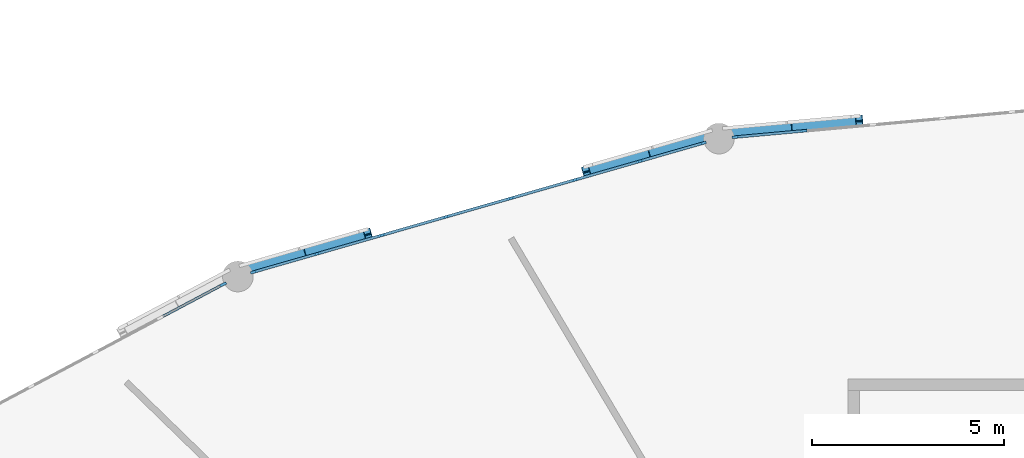
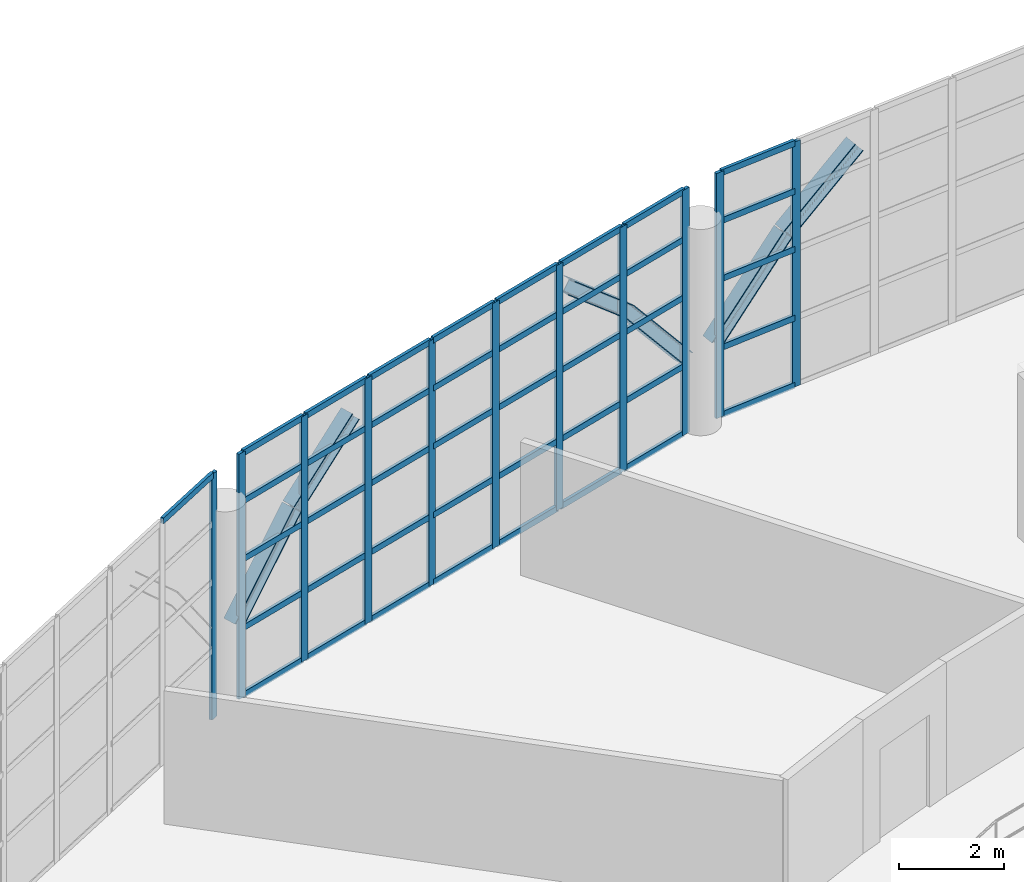
# One storey, part 38 of 109: 52 members, 6 beams, 3 elements without a shape of their own.
"""IFC4 building model written with IfcOpenShell, lengths in metres."""

from ifc_helpers import new_model, si_unit, direction, frame, origin, origin_2d, place, context, subcontext, project, spatial, rectangle, i_section, extrude, material, layer, layer_set, material_profile, profile_set, type_object, element, aggregate, save


model = new_model("IFC4")

# Units and contexts
model_context = context("Model", 3, precision=1e-05, world=origin(), true_north=direction((0.0, 1.0)))
body_context = subcontext(model_context, "Body", "Model", "MODEL_VIEW")
ifc_project = project(units=[si_unit("LENGTHUNIT", "METRE"), si_unit("AREAUNIT", "SQUARE_METRE"), si_unit("VOLUMEUNIT", "CUBIC_METRE"), si_unit("PLANEANGLEUNIT", "RADIAN"), si_unit("MASSUNIT", "GRAM", prefix="KILO")], contexts=[model_context])

# Site, building, storey
site_placement = place(None, origin())
site = spatial("IfcSite", under=ifc_project, at=site_placement, CompositionType="ELEMENT")
building_placement = place(site_placement, origin())
building = spatial("IfcBuilding", under=site, at=building_placement, Name="Kivolera Central Railway Station", CompositionType="ELEMENT")
storey_placement = place(building_placement, frame((0.0, 0.0, 9.60009765625)))
storey = spatial("IfcBuildingStorey", under=building, at=storey_placement, Name="L02", CompositionType="ELEMENT", Elevation=9.60009765625)

# Beams
ifc_material_1 = material(Name="Steel S355", Category="steel")
ifc_material_profile_1 = material_profile(ifc_material_1, i_section(OverallWidth=0.300048828125, OverallDepth=0.300048828125, WebThickness=0.010986328125, FlangeThickness=0.01904296875, FilletRadius=0.027099609375, at=origin_2d()), Name="HEB 300")
ifc_profile_set_1 = profile_set([ifc_material_profile_1], Name="Steel S355")
beam_type = type_object("IfcBeamType", Name="BM-LANT-ARCH", PredefinedType="SPANDREL", material=ifc_profile_set_1)
beam_1_placement = place(storey_placement, frame((54.198974609375, 125.22705078125, 4.9599609375), z_axis=(-0.771222269033, -0.07029694957, -0.632672546132), x_axis=(0.090773742358, -0.995871541765, 0.0)))
element("IfcBeam", 1, at=beam_1_placement, inside=storey, type_object=beam_type, Name="Oval Lantern Structural Arch Rib 07.5", PredefinedType="SPANDREL", context=body_context, shape_type="SweptSolid", body=[
    extrude(i_section(OverallWidth=0.300048828125, OverallDepth=0.300048828125, WebThickness=0.010986328125, FlangeThickness=0.01904296875, FilletRadius=0.027099609375, at=origin_2d()), origin(), (0.0, 0.0, 1.0), 2.14990234375),
])
beam_2_placement = place(storey_placement, frame((52.541015625, 125.075927734375, 3.599853515625), z_axis=(-0.656109286691, -0.059742970263, -0.752297402244), x_axis=(0.090681275799, -0.995879965769, 0.0)))
element("IfcBeam", 2, at=beam_2_placement, inside=storey, type_object=beam_type, Name="Oval Lantern Structural Arch Rib 07.6", PredefinedType="SPANDREL", context=body_context, shape_type="SweptSolid", body=[
    extrude(i_section(OverallWidth=0.300048828125, OverallDepth=0.300048828125, WebThickness=0.010986328125, FlangeThickness=0.01904296875, FilletRadius=0.027099609375, at=origin_2d()), origin(), (0.0, 0.0, 1.0), 2.525390625),
])
beam_3_placement = place(storey_placement, frame((50.1669921875, 124.791015625, 1.699951171875), z_axis=(-0.620093626419, -0.17819346611, 0.764022894363), x_axis=(0.276187953411, -0.961103643938, 0.0)))
element("IfcBeam", 3, at=beam_3_placement, inside=storey, type_object=beam_type, Name="Oval Lantern Structural Arch Rib 08.1", PredefinedType="SPANDREL", context=body_context, shape_type="SweptSolid", body=[
    extrude(i_section(OverallWidth=0.300048828125, OverallDepth=0.300048828125, WebThickness=0.010986328125, FlangeThickness=0.01904296875, FilletRadius=0.027099609375, at=origin_2d()), origin(), (0.0, 0.0, 1.0), 2.48681640625),
])
beam_4_placement = place(storey_placement, frame((48.625, 124.347900390625, 3.599853515625), z_axis=(-0.733210155687, -0.21011880649, 0.646724790585), x_axis=(0.275484921, -0.961305392839, 0.0)))
element("IfcBeam", 4, at=beam_4_placement, inside=storey, type_object=beam_type, Name="Oval Lantern Structural Arch Rib 08.2", PredefinedType="SPANDREL", context=body_context, shape_type="SweptSolid", body=[
    extrude(i_section(OverallWidth=0.300048828125, OverallDepth=0.300048828125, WebThickness=0.010986328125, FlangeThickness=0.01904296875, FilletRadius=0.027099609375, at=origin_2d()), origin(), (0.0, 0.0, 1.0), 2.10302734375),
])
beam_5_placement = place(storey_placement, frame((41.39111328125, 122.27392578125, 4.9599609375), z_axis=(-0.732995328779, -0.210190358855, -0.646945021646), x_axis=(0.275646238787, -0.961259148743, 0.0)))
element("IfcBeam", 5, at=beam_5_placement, inside=storey, type_object=beam_type, Name="Oval Lantern Structural Arch Rib 08.5", PredefinedType="SPANDREL", context=body_context, shape_type="SweptSolid", body=[
    extrude(i_section(OverallWidth=0.300048828125, OverallDepth=0.300048828125, WebThickness=0.010986328125, FlangeThickness=0.01904296875, FilletRadius=0.027099609375, at=origin_2d()), origin(), (0.0, 0.0, 1.0), 2.102294921875),
])
beam_6_placement = place(storey_placement, frame((39.85009765625, 121.83203125, 3.599853515625), z_axis=(-0.620136976598, -0.177813183125, -0.764076306505), x_axis=(0.275625562891, -0.961265077427, 0.0)))
element("IfcBeam", 6, at=beam_6_placement, inside=storey, type_object=beam_type, Name="Oval Lantern Structural Arch Rib 08.6", PredefinedType="SPANDREL", context=body_context, shape_type="SweptSolid", body=[
    extrude(i_section(OverallWidth=0.300048828125, OverallDepth=0.300048828125, WebThickness=0.010986328125, FlangeThickness=0.01904296875, FilletRadius=0.027099609375, at=origin_2d()), origin(), (0.0, 0.0, 1.0), 2.486572265625),
])

# Curtain wall, members
ifc_material_2 = material(Name="Anodised aluminium", Category="aluminium")
ifc_layer_1 = layer(ifc_material_2, 0.179931640625, Name="Anodised aluminium")
ifc_layer_set_1 = layer_set([ifc_layer_1], Name="Anodised aluminium")
curtain_wall_type_1 = type_object("IfcCurtainWallType", Name="CW-SYS-13", PredefinedType="NOTDEFINED", material=ifc_layer_set_1)
curtain_wall_1_placement = place(storey_placement, origin())
curtain_wall_1 = element("IfcCurtainWall", 7, at=curtain_wall_1_placement, inside=storey, type_object=curtain_wall_type_1, Name="L02 Curtain Wall CW-L02-OVL-06", PredefinedType="NOTDEFINED")
ifc_material_profile_2 = material_profile(ifc_material_2, rectangle(XDim=0.070068359375, YDim=0.179931640625, at=origin_2d()), Name="ALU MULL 70x180")
ifc_profile_set_2 = profile_set([ifc_material_profile_2], Name="Anodised aluminium")
member_type_1 = type_object("IfcMemberType", Name="CWM-MUL-1", PredefinedType="MULLION", material=ifc_profile_set_2)
member_1_placement = place(storey_placement, frame((50.973876953125, 124.812255859375, -0.005126953125), z_axis=(0.0, 0.0, 1.0), x_axis=(-0.090833556942, 0.995866087852, 0.0)))
member_1 = element("IfcMember", 8, at=member_1_placement, type_object=member_type_1, Name="CW-13 mullion 1", PredefinedType="MULLION", context=body_context, shape_type="SweptSolid", body=[
    extrude(rectangle(XDim=0.070068359375, YDim=0.179931640625, at=origin_2d()), origin(), (0.0, 0.0, 1.0), 5.705078125),
])
member_2_placement = place(storey_placement, frame((52.748046875, 124.97412109375, -0.005126953125), z_axis=(0.0, 0.0, 1.0), x_axis=(-0.090833556942, 0.995866087852, 0.0)))
member_2 = element("IfcMember", 9, at=member_2_placement, type_object=member_type_1, Name="CW-13 mullion 2", PredefinedType="MULLION", context=body_context, shape_type="SweptSolid", body=[
    extrude(rectangle(XDim=0.070068359375, YDim=0.179931640625, at=origin_2d()), origin(), (0.0, 0.0, 1.0), 5.705078125),
])

ifc_layer_2 = layer(ifc_material_2, 0.179931640625, Name="Anodised aluminium")
ifc_layer_set_2 = layer_set([ifc_layer_2], Name="Anodised aluminium")
curtain_wall_type_2 = type_object("IfcCurtainWallType", Name="CW-SYS-11", PredefinedType="NOTDEFINED", material=ifc_layer_set_2)
curtain_wall_2_placement = place(storey_placement, origin())
curtain_wall_2 = element("IfcCurtainWall", 10, at=curtain_wall_2_placement, inside=storey, type_object=curtain_wall_type_2, Name="L02 Curtain Wall CW-L02-OVL-07", PredefinedType="NOTDEFINED")
member_3_placement = place(storey_placement, frame((38.418701171875, 121.296630859375, -0.005126953125), z_axis=(0.0, 0.0, 1.0), x_axis=(-0.27569168989, 0.961246114232, 0.0)))
member_3 = element("IfcMember", 11, at=member_3_placement, type_object=member_type_1, Name="CW-11 mullion 1", PredefinedType="MULLION", context=body_context, shape_type="SweptSolid", body=[
    extrude(rectangle(XDim=0.070068359375, YDim=0.179931640625, at=origin_2d()), origin(), (0.0, 0.0, 1.0), 5.705078125),
])
member_4_placement = place(storey_placement, frame((40.066650390625, 121.769287109375, -0.005126953125), z_axis=(0.0, 0.0, 1.0), x_axis=(-0.27569168989, 0.961246114232, 0.0)))
member_4 = element("IfcMember", 12, at=member_4_placement, type_object=member_type_1, Name="CW-11 mullion 2", PredefinedType="MULLION", context=body_context, shape_type="SweptSolid", body=[
    extrude(rectangle(XDim=0.070068359375, YDim=0.179931640625, at=origin_2d()), origin(), (0.0, 0.0, 1.0), 5.705078125),
])
member_5_placement = place(storey_placement, frame((41.748046875, 122.25146484375, -0.005126953125), z_axis=(0.0, 0.0, 1.0), x_axis=(-0.27569168989, 0.961246114232, 0.0)))
member_5 = element("IfcMember", 13, at=member_5_placement, type_object=member_type_1, Name="CW-11 mullion 3", PredefinedType="MULLION", context=body_context, shape_type="SweptSolid", body=[
    extrude(rectangle(XDim=0.070068359375, YDim=0.179931640625, at=origin_2d()), origin(), (0.0, 0.0, 1.0), 5.705078125),
])
member_6_placement = place(storey_placement, frame((43.4296875, 122.73388671875, -0.005126953125), z_axis=(0.0, 0.0, 1.0), x_axis=(-0.27569168989, 0.961246114232, 0.0)))
member_6 = element("IfcMember", 14, at=member_6_placement, type_object=member_type_1, Name="CW-11 mullion 4", PredefinedType="MULLION", context=body_context, shape_type="SweptSolid", body=[
    extrude(rectangle(XDim=0.070068359375, YDim=0.179931640625, at=origin_2d()), origin(), (0.0, 0.0, 1.0), 5.705078125),
])
member_7_placement = place(storey_placement, frame((45.111328125, 123.216064453125, -0.005126953125), z_axis=(0.0, 0.0, 1.0), x_axis=(-0.27569168989, 0.961246114232, 0.0)))
member_7 = element("IfcMember", 15, at=member_7_placement, type_object=member_type_1, Name="CW-11 mullion 5", PredefinedType="MULLION", context=body_context, shape_type="SweptSolid", body=[
    extrude(rectangle(XDim=0.070068359375, YDim=0.179931640625, at=origin_2d()), origin(), (0.0, 0.0, 1.0), 5.705078125),
])
member_8_placement = place(storey_placement, frame((46.79296875, 123.698486328125, -0.005126953125), z_axis=(0.0, 0.0, 1.0), x_axis=(-0.27569168989, 0.961246114232, 0.0)))
member_8 = element("IfcMember", 16, at=member_8_placement, type_object=member_type_1, Name="CW-11 mullion 6", PredefinedType="MULLION", context=body_context, shape_type="SweptSolid", body=[
    extrude(rectangle(XDim=0.070068359375, YDim=0.179931640625, at=origin_2d()), origin(), (0.0, 0.0, 1.0), 5.705078125),
])
member_9_placement = place(storey_placement, frame((48.474365234375, 124.1806640625, -0.005126953125), z_axis=(0.0, 0.0, 1.0), x_axis=(-0.27569168989, 0.961246114232, 0.0)))
member_9 = element("IfcMember", 17, at=member_9_placement, type_object=member_type_1, Name="CW-11 mullion 7", PredefinedType="MULLION", context=body_context, shape_type="SweptSolid", body=[
    extrude(rectangle(XDim=0.070068359375, YDim=0.179931640625, at=origin_2d()), origin(), (0.0, 0.0, 1.0), 5.705078125),
])
member_10_placement = place(storey_placement, frame((50.122314453125, 124.6533203125, -0.005126953125), z_axis=(0.0, 0.0, 1.0), x_axis=(-0.27569168989, 0.961246114232, 0.0)))
member_10 = element("IfcMember", 18, at=member_10_placement, type_object=member_type_1, Name="CW-11 mullion 8", PredefinedType="MULLION", context=body_context, shape_type="SweptSolid", body=[
    extrude(rectangle(XDim=0.070068359375, YDim=0.179931640625, at=origin_2d()), origin(), (0.0, 0.0, 1.0), 5.705078125),
])

# Curtain wall, member
ifc_layer_3 = layer(ifc_material_2, 0.179931640625, Name="Anodised aluminium")
ifc_layer_set_3 = layer_set([ifc_layer_3], Name="Anodised aluminium")
curtain_wall_type_3 = type_object("IfcCurtainWallType", Name="CW-SYS-09", PredefinedType="NOTDEFINED", material=ifc_layer_set_3)
curtain_wall_3_placement = place(storey_placement, origin())
curtain_wall_3 = element("IfcCurtainWall", 19, at=curtain_wall_3_placement, inside=storey, type_object=curtain_wall_type_3, Name="L02 Curtain Wall CW-L02-OVL-08", PredefinedType="NOTDEFINED")
member_11_placement = place(storey_placement, frame((37.6162109375, 120.97265625, -0.005126953125), z_axis=(0.0, 0.0, 1.0), x_axis=(-0.469052563023, 0.883170251493, 0.0)))
member_11 = element("IfcMember", 20, at=member_11_placement, type_object=member_type_1, Name="CW-09 mullion 7", PredefinedType="MULLION", context=body_context, shape_type="SweptSolid", body=[
    extrude(rectangle(XDim=0.070068359375, YDim=0.179931640625, at=origin_2d()), origin(), (0.0, 0.0, 1.0), 5.705078125),
])

# Member
ifc_material_profile_3 = material_profile(ifc_material_2, rectangle(XDim=0.070068359375, YDim=0.139892578125, at=origin_2d()), Name="ALU TRAN 70x140")
ifc_profile_set_3 = profile_set([ifc_material_profile_3], Name="Anodised aluminium")
member_type_2 = type_object("IfcMemberType", Name="CWM-TRN-1", PredefinedType="USERDEFINED", material=ifc_profile_set_3)
member_12_placement = place(storey_placement, frame((51.0087890625, 124.8154296875, 0.034912109375), z_axis=(0.995875648211, 0.090728679596, 0.0), x_axis=(-0.090728679596, 0.995875648211, 0.0)))
member_12 = element("IfcMember", 21, at=member_12_placement, type_object=member_type_2, Name="CW-13 transom 1.1", ObjectType="TRANSOM", PredefinedType="USERDEFINED", context=body_context, shape_type="SweptSolid", body=[
    extrude(rectangle(XDim=0.070068359375, YDim=0.139892578125, at=origin_2d()), origin(), (0.0, 0.0, 1.0), 1.71142578125),
])

member_13_placement = place(storey_placement, frame((51.0087890625, 124.8154296875, 1.599853515625), z_axis=(0.995875648211, 0.090728679596, 0.0), x_axis=(-0.090728679596, 0.995875648211, 0.0)))
member_13 = element("IfcMember", 22, at=member_13_placement, type_object=member_type_2, Name="CW-13 transom 1.2", ObjectType="TRANSOM", PredefinedType="USERDEFINED", context=body_context, shape_type="SweptSolid", body=[
    extrude(rectangle(XDim=0.070068359375, YDim=0.139892578125, at=origin_2d()), origin(), (0.0, 0.0, 1.0), 1.71142578125),
])

member_14_placement = place(storey_placement, frame((51.0087890625, 124.8154296875, 3.199951171875), z_axis=(0.995875648211, 0.090728679596, 0.0), x_axis=(-0.090728679596, 0.995875648211, 0.0)))
member_14 = element("IfcMember", 23, at=member_14_placement, type_object=member_type_2, Name="CW-13 transom 1.3", ObjectType="TRANSOM", PredefinedType="USERDEFINED", context=body_context, shape_type="SweptSolid", body=[
    extrude(rectangle(XDim=0.070068359375, YDim=0.139892578125, at=origin_2d()), origin(), (0.0, 0.0, 1.0), 1.71142578125),
])

member_15_placement = place(storey_placement, frame((51.0087890625, 124.8154296875, 4.5498046875), z_axis=(0.995875648211, 0.090728679596, 0.0), x_axis=(-0.090728679596, 0.995875648211, 0.0)))
member_15 = element("IfcMember", 24, at=member_15_placement, type_object=member_type_2, Name="CW-13 transom 1.4", ObjectType="TRANSOM", PredefinedType="USERDEFINED", context=body_context, shape_type="SweptSolid", body=[
    extrude(rectangle(XDim=0.070068359375, YDim=0.139892578125, at=origin_2d()), origin(), (0.0, 0.0, 1.0), 1.71142578125),
])

member_16_placement = place(storey_placement, frame((51.0087890625, 124.8154296875, 5.664794921875), z_axis=(0.995875648211, 0.090728679596, 0.0), x_axis=(-0.090728679596, 0.995875648211, 0.0)))
member_16 = element("IfcMember", 25, at=member_16_placement, type_object=member_type_2, Name="CW-13 transom 1.5", ObjectType="TRANSOM", PredefinedType="USERDEFINED", context=body_context, shape_type="SweptSolid", body=[
    extrude(rectangle(XDim=0.070068359375, YDim=0.139892578125, at=origin_2d()), origin(), (0.0, 0.0, 1.0), 1.71142578125),
])

aggregate(curtain_wall_1, [member_1, member_2, member_12, member_13, member_14, member_15, member_16])

member_17_placement = place(storey_placement, frame((38.452392578125, 121.306396484375, 0.034912109375), z_axis=(0.961277023143, 0.275583897892, 0.0), x_axis=(-0.275583897892, 0.961277023143, 0.0)))
member_17 = element("IfcMember", 26, at=member_17_placement, type_object=member_type_2, Name="CW-11 transom 1.1", ObjectType="TRANSOM", PredefinedType="USERDEFINED", context=body_context, shape_type="SweptSolid", body=[
    extrude(rectangle(XDim=0.070068359375, YDim=0.139892578125, at=origin_2d()), origin(), (0.0, 0.0, 1.0), 1.644287109375),
])

member_18_placement = place(storey_placement, frame((38.452392578125, 121.306396484375, 1.599853515625), z_axis=(0.961277023143, 0.275583897892, 0.0), x_axis=(-0.275583897892, 0.961277023143, 0.0)))
member_18 = element("IfcMember", 27, at=member_18_placement, type_object=member_type_2, Name="CW-11 transom 1.2", ObjectType="TRANSOM", PredefinedType="USERDEFINED", context=body_context, shape_type="SweptSolid", body=[
    extrude(rectangle(XDim=0.070068359375, YDim=0.139892578125, at=origin_2d()), origin(), (0.0, 0.0, 1.0), 1.644287109375),
])

member_19_placement = place(storey_placement, frame((38.452392578125, 121.306396484375, 3.199951171875), z_axis=(0.961277023143, 0.275583897892, 0.0), x_axis=(-0.275583897892, 0.961277023143, 0.0)))
member_19 = element("IfcMember", 28, at=member_19_placement, type_object=member_type_2, Name="CW-11 transom 1.3", ObjectType="TRANSOM", PredefinedType="USERDEFINED", context=body_context, shape_type="SweptSolid", body=[
    extrude(rectangle(XDim=0.070068359375, YDim=0.139892578125, at=origin_2d()), origin(), (0.0, 0.0, 1.0), 1.644287109375),
])

member_20_placement = place(storey_placement, frame((38.452392578125, 121.306396484375, 4.5498046875), z_axis=(0.961277023143, 0.275583897892, 0.0), x_axis=(-0.275583897892, 0.961277023143, 0.0)))
member_20 = element("IfcMember", 29, at=member_20_placement, type_object=member_type_2, Name="CW-11 transom 1.4", ObjectType="TRANSOM", PredefinedType="USERDEFINED", context=body_context, shape_type="SweptSolid", body=[
    extrude(rectangle(XDim=0.070068359375, YDim=0.139892578125, at=origin_2d()), origin(), (0.0, 0.0, 1.0), 1.644287109375),
])

member_21_placement = place(storey_placement, frame((38.452392578125, 121.306396484375, 5.664794921875), z_axis=(0.961277023143, 0.275583897892, 0.0), x_axis=(-0.275583897892, 0.961277023143, 0.0)))
member_21 = element("IfcMember", 30, at=member_21_placement, type_object=member_type_2, Name="CW-11 transom 1.5", ObjectType="TRANSOM", PredefinedType="USERDEFINED", context=body_context, shape_type="SweptSolid", body=[
    extrude(rectangle(XDim=0.070068359375, YDim=0.139892578125, at=origin_2d()), origin(), (0.0, 0.0, 1.0), 1.644287109375),
])

member_22_placement = place(storey_placement, frame((40.10009765625, 121.779052734375, 0.034912109375), z_axis=(0.961271217599, 0.275604147674, 0.0), x_axis=(-0.275604147674, 0.961271217599, 0.0)))
member_22 = element("IfcMember", 31, at=member_22_placement, type_object=member_type_2, Name="CW-11 transom 2.1", ObjectType="TRANSOM", PredefinedType="USERDEFINED", context=body_context, shape_type="SweptSolid", body=[
    extrude(rectangle(XDim=0.070068359375, YDim=0.139892578125, at=origin_2d()), origin(), (0.0, 0.0, 1.0), 1.679443359375),
])

member_23_placement = place(storey_placement, frame((40.10009765625, 121.779052734375, 1.599853515625), z_axis=(0.961271217599, 0.275604147674, 0.0), x_axis=(-0.275604147674, 0.961271217599, 0.0)))
member_23 = element("IfcMember", 32, at=member_23_placement, type_object=member_type_2, Name="CW-11 transom 2.2", ObjectType="TRANSOM", PredefinedType="USERDEFINED", context=body_context, shape_type="SweptSolid", body=[
    extrude(rectangle(XDim=0.070068359375, YDim=0.139892578125, at=origin_2d()), origin(), (0.0, 0.0, 1.0), 1.679443359375),
])

member_24_placement = place(storey_placement, frame((40.10009765625, 121.779052734375, 3.199951171875), z_axis=(0.961271217599, 0.275604147674, 0.0), x_axis=(-0.275604147674, 0.961271217599, 0.0)))
member_24 = element("IfcMember", 33, at=member_24_placement, type_object=member_type_2, Name="CW-11 transom 2.3", ObjectType="TRANSOM", PredefinedType="USERDEFINED", context=body_context, shape_type="SweptSolid", body=[
    extrude(rectangle(XDim=0.070068359375, YDim=0.139892578125, at=origin_2d()), origin(), (0.0, 0.0, 1.0), 1.679443359375),
])

member_25_placement = place(storey_placement, frame((40.10009765625, 121.779052734375, 4.5498046875), z_axis=(0.961271217599, 0.275604147674, 0.0), x_axis=(-0.275604147674, 0.961271217599, 0.0)))
member_25 = element("IfcMember", 34, at=member_25_placement, type_object=member_type_2, Name="CW-11 transom 2.4", ObjectType="TRANSOM", PredefinedType="USERDEFINED", context=body_context, shape_type="SweptSolid", body=[
    extrude(rectangle(XDim=0.070068359375, YDim=0.139892578125, at=origin_2d()), origin(), (0.0, 0.0, 1.0), 1.679443359375),
])

member_26_placement = place(storey_placement, frame((40.10009765625, 121.779052734375, 5.664794921875), z_axis=(0.961271217599, 0.275604147674, 0.0), x_axis=(-0.275604147674, 0.961271217599, 0.0)))
member_26 = element("IfcMember", 35, at=member_26_placement, type_object=member_type_2, Name="CW-11 transom 2.5", ObjectType="TRANSOM", PredefinedType="USERDEFINED", context=body_context, shape_type="SweptSolid", body=[
    extrude(rectangle(XDim=0.070068359375, YDim=0.139892578125, at=origin_2d()), origin(), (0.0, 0.0, 1.0), 1.679443359375),
])

member_27_placement = place(storey_placement, frame((41.78173828125, 122.26123046875, 0.034912109375), z_axis=(0.961260174018, 0.27564266333, 0.0), x_axis=(-0.27564266333, 0.961260174018, 0.0)))
member_27 = element("IfcMember", 36, at=member_27_placement, type_object=member_type_2, Name="CW-11 transom 3.1", ObjectType="TRANSOM", PredefinedType="USERDEFINED", context=body_context, shape_type="SweptSolid", body=[
    extrude(rectangle(XDim=0.070068359375, YDim=0.139892578125, at=origin_2d()), origin(), (0.0, 0.0, 1.0), 1.67919921875),
])

member_28_placement = place(storey_placement, frame((41.78173828125, 122.26123046875, 1.599853515625), z_axis=(0.961260174018, 0.27564266333, 0.0), x_axis=(-0.27564266333, 0.961260174018, 0.0)))
member_28 = element("IfcMember", 37, at=member_28_placement, type_object=member_type_2, Name="CW-11 transom 3.2", ObjectType="TRANSOM", PredefinedType="USERDEFINED", context=body_context, shape_type="SweptSolid", body=[
    extrude(rectangle(XDim=0.070068359375, YDim=0.139892578125, at=origin_2d()), origin(), (0.0, 0.0, 1.0), 1.67919921875),
])

member_29_placement = place(storey_placement, frame((41.78173828125, 122.26123046875, 3.199951171875), z_axis=(0.961260174018, 0.27564266333, 0.0), x_axis=(-0.27564266333, 0.961260174018, 0.0)))
member_29 = element("IfcMember", 38, at=member_29_placement, type_object=member_type_2, Name="CW-11 transom 3.3", ObjectType="TRANSOM", PredefinedType="USERDEFINED", context=body_context, shape_type="SweptSolid", body=[
    extrude(rectangle(XDim=0.070068359375, YDim=0.139892578125, at=origin_2d()), origin(), (0.0, 0.0, 1.0), 1.67919921875),
])

member_30_placement = place(storey_placement, frame((41.78173828125, 122.26123046875, 4.5498046875), z_axis=(0.961260174018, 0.27564266333, 0.0), x_axis=(-0.27564266333, 0.961260174018, 0.0)))
member_30 = element("IfcMember", 39, at=member_30_placement, type_object=member_type_2, Name="CW-11 transom 3.4", ObjectType="TRANSOM", PredefinedType="USERDEFINED", context=body_context, shape_type="SweptSolid", body=[
    extrude(rectangle(XDim=0.070068359375, YDim=0.139892578125, at=origin_2d()), origin(), (0.0, 0.0, 1.0), 1.67919921875),
])

member_31_placement = place(storey_placement, frame((41.78173828125, 122.26123046875, 5.664794921875), z_axis=(0.961260174018, 0.27564266333, 0.0), x_axis=(-0.27564266333, 0.961260174018, 0.0)))
member_31 = element("IfcMember", 40, at=member_31_placement, type_object=member_type_2, Name="CW-11 transom 3.5", ObjectType="TRANSOM", PredefinedType="USERDEFINED", context=body_context, shape_type="SweptSolid", body=[
    extrude(rectangle(XDim=0.070068359375, YDim=0.139892578125, at=origin_2d()), origin(), (0.0, 0.0, 1.0), 1.67919921875),
])

member_32_placement = place(storey_placement, frame((43.46337890625, 122.743408203125, 0.034912109375), z_axis=(0.961221645359, 0.275776990509, 0.0), x_axis=(-0.275776990509, 0.961221645359, 0.0)))
member_32 = element("IfcMember", 41, at=member_32_placement, type_object=member_type_2, Name="CW-11 transom 4.1", ObjectType="TRANSOM", PredefinedType="USERDEFINED", context=body_context, shape_type="SweptSolid", body=[
    extrude(rectangle(XDim=0.070068359375, YDim=0.139892578125, at=origin_2d()), origin(), (0.0, 0.0, 1.0), 1.679443359375),
])

member_33_placement = place(storey_placement, frame((43.46337890625, 122.743408203125, 1.599853515625), z_axis=(0.961221645359, 0.275776990509, 0.0), x_axis=(-0.275776990509, 0.961221645359, 0.0)))
member_33 = element("IfcMember", 42, at=member_33_placement, type_object=member_type_2, Name="CW-11 transom 4.2", ObjectType="TRANSOM", PredefinedType="USERDEFINED", context=body_context, shape_type="SweptSolid", body=[
    extrude(rectangle(XDim=0.070068359375, YDim=0.139892578125, at=origin_2d()), origin(), (0.0, 0.0, 1.0), 1.679443359375),
])

member_34_placement = place(storey_placement, frame((43.46337890625, 122.743408203125, 3.199951171875), z_axis=(0.961221645359, 0.275776990509, 0.0), x_axis=(-0.275776990509, 0.961221645359, 0.0)))
member_34 = element("IfcMember", 43, at=member_34_placement, type_object=member_type_2, Name="CW-11 transom 4.3", ObjectType="TRANSOM", PredefinedType="USERDEFINED", context=body_context, shape_type="SweptSolid", body=[
    extrude(rectangle(XDim=0.070068359375, YDim=0.139892578125, at=origin_2d()), origin(), (0.0, 0.0, 1.0), 1.679443359375),
])

member_35_placement = place(storey_placement, frame((43.46337890625, 122.743408203125, 4.5498046875), z_axis=(0.961221645359, 0.275776990509, 0.0), x_axis=(-0.275776990509, 0.961221645359, 0.0)))
member_35 = element("IfcMember", 44, at=member_35_placement, type_object=member_type_2, Name="CW-11 transom 4.4", ObjectType="TRANSOM", PredefinedType="USERDEFINED", context=body_context, shape_type="SweptSolid", body=[
    extrude(rectangle(XDim=0.070068359375, YDim=0.139892578125, at=origin_2d()), origin(), (0.0, 0.0, 1.0), 1.679443359375),
])

member_36_placement = place(storey_placement, frame((43.46337890625, 122.743408203125, 5.664794921875), z_axis=(0.961221645359, 0.275776990509, 0.0), x_axis=(-0.275776990509, 0.961221645359, 0.0)))
member_36 = element("IfcMember", 45, at=member_36_placement, type_object=member_type_2, Name="CW-11 transom 4.5", ObjectType="TRANSOM", PredefinedType="USERDEFINED", context=body_context, shape_type="SweptSolid", body=[
    extrude(rectangle(XDim=0.070068359375, YDim=0.139892578125, at=origin_2d()), origin(), (0.0, 0.0, 1.0), 1.679443359375),
])

member_37_placement = place(storey_placement, frame((45.14501953125, 123.225830078125, 0.034912109375), z_axis=(0.961260174018, 0.27564266333, 0.0), x_axis=(-0.27564266333, 0.961260174018, 0.0)))
member_37 = element("IfcMember", 46, at=member_37_placement, type_object=member_type_2, Name="CW-11 transom 5.1", ObjectType="TRANSOM", PredefinedType="USERDEFINED", context=body_context, shape_type="SweptSolid", body=[
    extrude(rectangle(XDim=0.070068359375, YDim=0.139892578125, at=origin_2d()), origin(), (0.0, 0.0, 1.0), 1.67919921875),
])

member_38_placement = place(storey_placement, frame((45.14501953125, 123.225830078125, 1.599853515625), z_axis=(0.961260174018, 0.27564266333, 0.0), x_axis=(-0.27564266333, 0.961260174018, 0.0)))
member_38 = element("IfcMember", 47, at=member_38_placement, type_object=member_type_2, Name="CW-11 transom 5.2", ObjectType="TRANSOM", PredefinedType="USERDEFINED", context=body_context, shape_type="SweptSolid", body=[
    extrude(rectangle(XDim=0.070068359375, YDim=0.139892578125, at=origin_2d()), origin(), (0.0, 0.0, 1.0), 1.67919921875),
])

member_39_placement = place(storey_placement, frame((45.14501953125, 123.225830078125, 3.199951171875), z_axis=(0.961260174018, 0.27564266333, 0.0), x_axis=(-0.27564266333, 0.961260174018, 0.0)))
member_39 = element("IfcMember", 48, at=member_39_placement, type_object=member_type_2, Name="CW-11 transom 5.3", ObjectType="TRANSOM", PredefinedType="USERDEFINED", context=body_context, shape_type="SweptSolid", body=[
    extrude(rectangle(XDim=0.070068359375, YDim=0.139892578125, at=origin_2d()), origin(), (0.0, 0.0, 1.0), 1.67919921875),
])

member_40_placement = place(storey_placement, frame((45.14501953125, 123.225830078125, 4.5498046875), z_axis=(0.961260174018, 0.27564266333, 0.0), x_axis=(-0.27564266333, 0.961260174018, 0.0)))
member_40 = element("IfcMember", 49, at=member_40_placement, type_object=member_type_2, Name="CW-11 transom 5.4", ObjectType="TRANSOM", PredefinedType="USERDEFINED", context=body_context, shape_type="SweptSolid", body=[
    extrude(rectangle(XDim=0.070068359375, YDim=0.139892578125, at=origin_2d()), origin(), (0.0, 0.0, 1.0), 1.67919921875),
])

member_41_placement = place(storey_placement, frame((45.14501953125, 123.225830078125, 5.664794921875), z_axis=(0.961260174018, 0.27564266333, 0.0), x_axis=(-0.27564266333, 0.961260174018, 0.0)))
member_41 = element("IfcMember", 50, at=member_41_placement, type_object=member_type_2, Name="CW-11 transom 5.5", ObjectType="TRANSOM", PredefinedType="USERDEFINED", context=body_context, shape_type="SweptSolid", body=[
    extrude(rectangle(XDim=0.070068359375, YDim=0.139892578125, at=origin_2d()), origin(), (0.0, 0.0, 1.0), 1.67919921875),
])

member_42_placement = place(storey_placement, frame((46.826416015625, 123.7080078125, 0.034912109375), z_axis=(0.961221645359, 0.275776990509, 0.0), x_axis=(-0.275776990509, 0.961221645359, 0.0)))
member_42 = element("IfcMember", 51, at=member_42_placement, type_object=member_type_2, Name="CW-11 transom 6.1", ObjectType="TRANSOM", PredefinedType="USERDEFINED", context=body_context, shape_type="SweptSolid", body=[
    extrude(rectangle(XDim=0.070068359375, YDim=0.139892578125, at=origin_2d()), origin(), (0.0, 0.0, 1.0), 1.679443359375),
])

member_43_placement = place(storey_placement, frame((46.826416015625, 123.7080078125, 1.599853515625), z_axis=(0.961221645359, 0.275776990509, 0.0), x_axis=(-0.275776990509, 0.961221645359, 0.0)))
member_43 = element("IfcMember", 52, at=member_43_placement, type_object=member_type_2, Name="CW-11 transom 6.2", ObjectType="TRANSOM", PredefinedType="USERDEFINED", context=body_context, shape_type="SweptSolid", body=[
    extrude(rectangle(XDim=0.070068359375, YDim=0.139892578125, at=origin_2d()), origin(), (0.0, 0.0, 1.0), 1.679443359375),
])

member_44_placement = place(storey_placement, frame((46.826416015625, 123.7080078125, 3.199951171875), z_axis=(0.961221645359, 0.275776990509, 0.0), x_axis=(-0.275776990509, 0.961221645359, 0.0)))
member_44 = element("IfcMember", 53, at=member_44_placement, type_object=member_type_2, Name="CW-11 transom 6.3", ObjectType="TRANSOM", PredefinedType="USERDEFINED", context=body_context, shape_type="SweptSolid", body=[
    extrude(rectangle(XDim=0.070068359375, YDim=0.139892578125, at=origin_2d()), origin(), (0.0, 0.0, 1.0), 1.679443359375),
])

member_45_placement = place(storey_placement, frame((46.826416015625, 123.7080078125, 4.5498046875), z_axis=(0.961221645359, 0.275776990509, 0.0), x_axis=(-0.275776990509, 0.961221645359, 0.0)))
member_45 = element("IfcMember", 54, at=member_45_placement, type_object=member_type_2, Name="CW-11 transom 6.4", ObjectType="TRANSOM", PredefinedType="USERDEFINED", context=body_context, shape_type="SweptSolid", body=[
    extrude(rectangle(XDim=0.070068359375, YDim=0.139892578125, at=origin_2d()), origin(), (0.0, 0.0, 1.0), 1.679443359375),
])

member_46_placement = place(storey_placement, frame((46.826416015625, 123.7080078125, 5.664794921875), z_axis=(0.961221645359, 0.275776990509, 0.0), x_axis=(-0.275776990509, 0.961221645359, 0.0)))
member_46 = element("IfcMember", 55, at=member_46_placement, type_object=member_type_2, Name="CW-11 transom 6.5", ObjectType="TRANSOM", PredefinedType="USERDEFINED", context=body_context, shape_type="SweptSolid", body=[
    extrude(rectangle(XDim=0.070068359375, YDim=0.139892578125, at=origin_2d()), origin(), (0.0, 0.0, 1.0), 1.679443359375),
])

member_47_placement = place(storey_placement, frame((48.508056640625, 124.1904296875, 0.034912109375), z_axis=(0.961237680042, 0.275721095434, 0.0), x_axis=(-0.275721095434, 0.961237680042, 0.0)))
member_47 = element("IfcMember", 56, at=member_47_placement, type_object=member_type_2, Name="CW-11 transom 7.1", ObjectType="TRANSOM", PredefinedType="USERDEFINED", context=body_context, shape_type="SweptSolid", body=[
    extrude(rectangle(XDim=0.070068359375, YDim=0.139892578125, at=origin_2d()), origin(), (0.0, 0.0, 1.0), 1.644287109375),
])

member_48_placement = place(storey_placement, frame((48.508056640625, 124.1904296875, 1.599853515625), z_axis=(0.961237680042, 0.275721095434, 0.0), x_axis=(-0.275721095434, 0.961237680042, 0.0)))
member_48 = element("IfcMember", 57, at=member_48_placement, type_object=member_type_2, Name="CW-11 transom 7.2", ObjectType="TRANSOM", PredefinedType="USERDEFINED", context=body_context, shape_type="SweptSolid", body=[
    extrude(rectangle(XDim=0.070068359375, YDim=0.139892578125, at=origin_2d()), origin(), (0.0, 0.0, 1.0), 1.644287109375),
])

member_49_placement = place(storey_placement, frame((48.508056640625, 124.1904296875, 3.199951171875), z_axis=(0.961237680042, 0.275721095434, 0.0), x_axis=(-0.275721095434, 0.961237680042, 0.0)))
member_49 = element("IfcMember", 58, at=member_49_placement, type_object=member_type_2, Name="CW-11 transom 7.3", ObjectType="TRANSOM", PredefinedType="USERDEFINED", context=body_context, shape_type="SweptSolid", body=[
    extrude(rectangle(XDim=0.070068359375, YDim=0.139892578125, at=origin_2d()), origin(), (0.0, 0.0, 1.0), 1.644287109375),
])

member_50_placement = place(storey_placement, frame((48.508056640625, 124.1904296875, 4.5498046875), z_axis=(0.961237680042, 0.275721095434, 0.0), x_axis=(-0.275721095434, 0.961237680042, 0.0)))
member_50 = element("IfcMember", 59, at=member_50_placement, type_object=member_type_2, Name="CW-11 transom 7.4", ObjectType="TRANSOM", PredefinedType="USERDEFINED", context=body_context, shape_type="SweptSolid", body=[
    extrude(rectangle(XDim=0.070068359375, YDim=0.139892578125, at=origin_2d()), origin(), (0.0, 0.0, 1.0), 1.644287109375),
])

member_51_placement = place(storey_placement, frame((48.508056640625, 124.1904296875, 5.664794921875), z_axis=(0.961237680042, 0.275721095434, 0.0), x_axis=(-0.275721095434, 0.961237680042, 0.0)))
member_51 = element("IfcMember", 60, at=member_51_placement, type_object=member_type_2, Name="CW-11 transom 7.5", ObjectType="TRANSOM", PredefinedType="USERDEFINED", context=body_context, shape_type="SweptSolid", body=[
    extrude(rectangle(XDim=0.070068359375, YDim=0.139892578125, at=origin_2d()), origin(), (0.0, 0.0, 1.0), 1.644287109375),
])

aggregate(curtain_wall_2, [member_3, member_4, member_5, member_6, member_7, member_8, member_9, member_10, member_17, member_18, member_19, member_20, member_21, member_22, member_23, member_24, member_25, member_26, member_27, member_28, member_29, member_30, member_31, member_32, member_33, member_34, member_35, member_36, member_37, member_38, member_39, member_40, member_41, member_42, member_43, member_44, member_45, member_46, member_47, member_48, member_49, member_50, member_51])

member_52_placement = place(storey_placement, frame((36.00048828125, 120.114501953125, 5.664794921875), z_axis=(0.883191460259, 0.469012627255, 0.0), x_axis=(-0.469012627255, 0.883191460259, 0.0)))
member_52 = element("IfcMember", 61, at=member_52_placement, type_object=member_type_2, Name="CW-09 transom 6.5", ObjectType="TRANSOM", PredefinedType="USERDEFINED", context=body_context, shape_type="SweptSolid", body=[
    extrude(rectangle(XDim=0.070068359375, YDim=0.139892578125, at=origin_2d()), origin(), (0.0, 0.0, 1.0), 1.794189453125),
])

aggregate(curtain_wall_3, [member_11, member_52])

save(model, "model.ifc")
